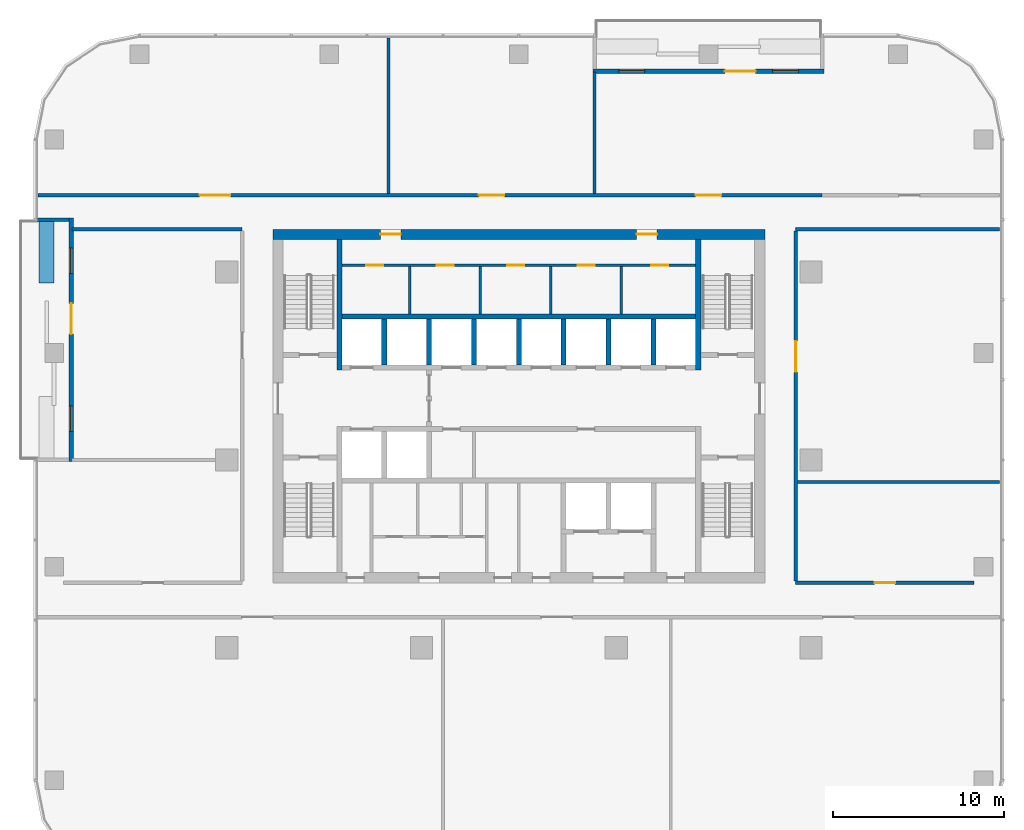
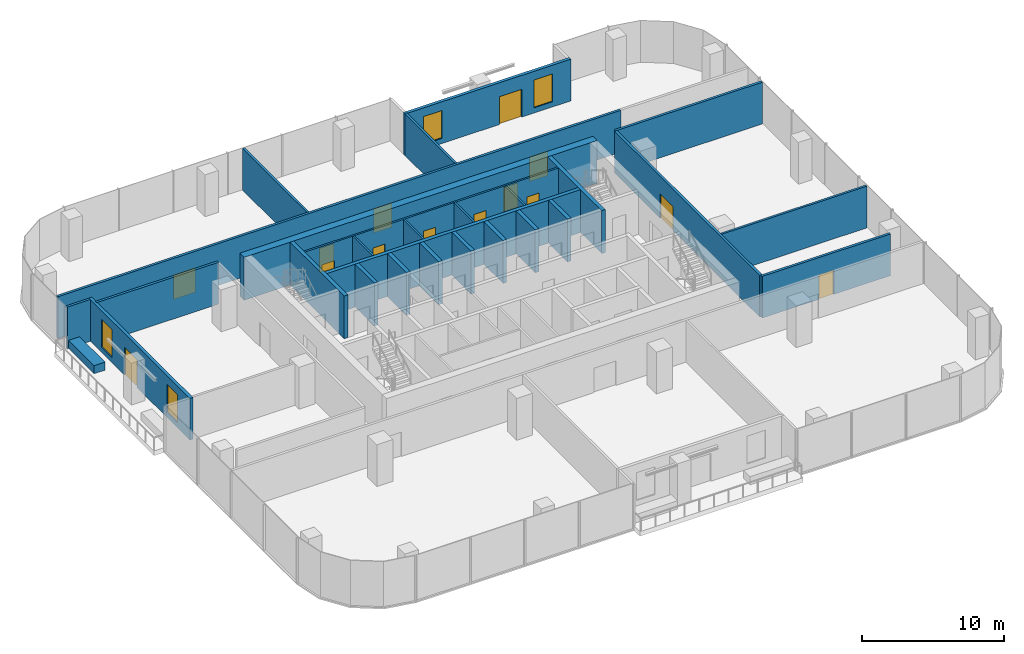
# One storey, part 9 of 14: 28 walls, 14 doors, 4 windows, 18 openings.
"""IFC4 building model written with IfcOpenShell, lengths in metres."""

from ifc_helpers import new_model, si_unit, direction, frame, frame_2d, origin, place, context, subcontext, project, spatial, rectangle, extrude, material, layer, layer_set, type_object, element, fill, save


model = new_model("IFC4")

# Units and contexts
model_context = context("Model", 3, precision=1e-05, world=origin(), true_north=direction((0.0, 1.0)))
body_context = subcontext(model_context, "Body", "Model", "MODEL_VIEW")
ifc_project = project(units=[si_unit("LENGTHUNIT", "METRE"), si_unit("AREAUNIT", "SQUARE_METRE"), si_unit("VOLUMEUNIT", "CUBIC_METRE"), si_unit("PLANEANGLEUNIT", "RADIAN"), si_unit("MASSUNIT", "GRAM", prefix="KILO")], contexts=[model_context])

# Site, building, storey
site_placement = place(None, origin())
site = spatial("IfcSite", under=ifc_project, at=site_placement, CompositionType="ELEMENT")
building_placement = place(site_placement, origin())
building = spatial("IfcBuilding", under=site, at=building_placement, Name="Mopane Tessera Tower", CompositionType="ELEMENT")
storey_placement = place(building_placement, frame((0.0, 0.0, 243.0)))
storey = spatial("IfcBuildingStorey", under=building, at=storey_placement, Name="L52", CompositionType="ELEMENT", Elevation=243.0)

# Walls
ifc_material_1 = material(Name="Fire-rated gypsum board partition")
ifc_layer_1 = layer(ifc_material_1, 0.14990234375)
ifc_layer_set_1 = layer_set([ifc_layer_1], Name="Fire-rated gypsum board partition")
wall_type_1 = type_object("IfcWallType", Name="Core room partition 150 mm", PredefinedType="PARTITIONING", material=ifc_layer_set_1)
for number, where, z_axis, x_axis, name in (
    (1, (-6.375, 8.550048828125, 0.0), (0.0, 0.0, 1.0), (0.0, 1.0, 0.0), "L52 Room partition"),
    (2, (-2.25, 8.550048828125, 0.0), (0.0, 0.0, 1.0), (0.0, 1.0, 0.0), "L52 Room partition"),
    (3, (1.875, 8.550048828125, 0.0), (0.0, 0.0, 1.0), (0.0, 1.0, 0.0), "L52 Room partition"),
    (4, (6.0, 8.550048828125, 0.0), (0.0, 0.0, 1.0), (0.0, 1.0, 0.0), "L52 Room partition"),
):
    element("IfcWall", number, at=place(storey_placement, frame(where, z_axis=z_axis, x_axis=x_axis)), inside=storey, type_object=wall_type_1, Name=name, PredefinedType="PARTITIONING", context=body_context, shape_type="SweptSolid", body=[
        extrude(rectangle(XDim=2.77490234375, YDim=0.14990234375, at=frame_2d((1.387451171875, 0.0))), origin(), (0.0, 0.0, 1.0), 3.699951171875),
    ])

# Wall, openings, doors
wall_1_placement = place(storey_placement, frame((-10.35009765625, 11.39990234375, 0.0), z_axis=(0.0, 0.0, 1.0), x_axis=(1.0, 0.0, 0.0)))
wall_1 = element("IfcWall", 5, at=wall_1_placement, inside=storey, type_object=wall_type_1, Name="L52 Corridor wall", PredefinedType="PARTITIONING", context=body_context, shape_type="SweptSolid", body=[
    extrude(rectangle(XDim=20.7001953125, YDim=0.14990234375, at=frame_2d((10.35009765625, 0.0))), origin(), (0.0, 0.0, 1.0), 3.699951171875),
])
opening_1_placement = place(wall_1_placement, frame((1.41259765625, 0.0, 0.0)))
opening_1 = element("IfcOpeningElement", 6, at=opening_1_placement, cuts=wall_1, Name="Opening RD1", PredefinedType="OPENING", context=body_context, shape_type="SweptSolid", body=[
    extrude(rectangle(XDim=1.0, YDim=2.10009765625, at=frame_2d((0.5, 1.050048828125))), frame((0.0, 0.0869140625, 0.0), z_axis=(0.0, -1.0, 0.0), x_axis=(1.0, 0.0, 0.0)), (0.0, 0.0, 1.0), 0.173828125),
])
opening_2_placement = place(wall_1_placement, frame((5.53759765625, 0.0, 0.0)))
opening_2 = element("IfcOpeningElement", 7, at=opening_2_placement, cuts=wall_1, Name="Opening RD1", PredefinedType="OPENING", context=body_context, shape_type="SweptSolid", body=[
    extrude(rectangle(XDim=1.0, YDim=2.10009765625, at=frame_2d((0.5, 1.050048828125))), frame((0.0, 0.0869140625, 0.0), z_axis=(0.0, -1.0, 0.0), x_axis=(1.0, 0.0, 0.0)), (0.0, 0.0, 1.0), 0.173828125),
])
opening_3_placement = place(wall_1_placement, frame((9.66259765625, 0.0, 0.0)))
opening_3 = element("IfcOpeningElement", 8, at=opening_3_placement, cuts=wall_1, Name="Opening RD1", PredefinedType="OPENING", context=body_context, shape_type="SweptSolid", body=[
    extrude(rectangle(XDim=1.0, YDim=2.10009765625, at=frame_2d((0.5, 1.050048828125))), frame((0.0, 0.0869140625, 0.0), z_axis=(0.0, -1.0, 0.0), x_axis=(1.0, 0.0, 0.0)), (0.0, 0.0, 1.0), 0.173828125),
])
opening_4_placement = place(wall_1_placement, frame((13.78759765625, 0.0, 0.0)))
opening_4 = element("IfcOpeningElement", 9, at=opening_4_placement, cuts=wall_1, Name="Opening RD1", PredefinedType="OPENING", context=body_context, shape_type="SweptSolid", body=[
    extrude(rectangle(XDim=1.0, YDim=2.10009765625, at=frame_2d((0.5, 1.050048828125))), frame((0.0, 0.0869140625, 0.0), z_axis=(0.0, -1.0, 0.0), x_axis=(1.0, 0.0, 0.0)), (0.0, 0.0, 1.0), 0.173828125),
])
opening_5_placement = place(wall_1_placement, frame((18.10009765625, 0.0, 0.0)))
opening_5 = element("IfcOpeningElement", 10, at=opening_5_placement, cuts=wall_1, Name="Opening RD1", PredefinedType="OPENING", context=body_context, shape_type="SweptSolid", body=[
    extrude(rectangle(XDim=1.0, YDim=2.10009765625, at=frame_2d((0.5, 1.050048828125))), frame((0.0, 0.0869140625, 0.0), z_axis=(0.0, -1.0, 0.0), x_axis=(1.0, 0.0, 0.0)), (0.0, 0.0, 1.0), 0.173828125),
])
ifc_material_2 = material(Name="Timber door", Category="wood")
door_type_1 = type_object("IfcDoorType", Name="Core room door 1000 x 2100", OperationType="SINGLE_SWING_LEFT", PredefinedType="DOOR", material=ifc_material_2)
door_1_placement = place(opening_1_placement, origin())
door_1 = element("IfcDoor", 11, at=door_1_placement, inside=storey, type_object=door_type_1, Name="L52 Room door", OperationType="SINGLE_SWING_LEFT", OverallHeight=2.10009765625, OverallWidth=1.0, PredefinedType="DOOR", context=body_context, shape_type="SweptSolid", body=[
    extrude(rectangle(XDim=1.0, YDim=2.10009765625, at=frame_2d((0.5, 1.050048828125))), frame((0.0, 0.02490234375, 0.0), z_axis=(0.0, -1.0, 0.0), x_axis=(1.0, 0.0, 0.0)), (0.0, 0.0, 1.0), 0.050048828125),
])
fill(opening_1, door_1)
door_2_placement = place(opening_2_placement, origin())
door_2 = element("IfcDoor", 12, at=door_2_placement, inside=storey, type_object=door_type_1, Name="L52 Room door", OperationType="SINGLE_SWING_LEFT", OverallHeight=2.10009765625, OverallWidth=1.0, PredefinedType="DOOR", context=body_context, shape_type="SweptSolid", body=[
    extrude(rectangle(XDim=1.0, YDim=2.10009765625, at=frame_2d((0.5, 1.050048828125))), frame((0.0, 0.02490234375, 0.0), z_axis=(0.0, -1.0, 0.0), x_axis=(1.0, 0.0, 0.0)), (0.0, 0.0, 1.0), 0.050048828125),
])
fill(opening_2, door_2)
door_3_placement = place(opening_3_placement, origin())
door_3 = element("IfcDoor", 13, at=door_3_placement, inside=storey, type_object=door_type_1, Name="L52 Room door", OperationType="SINGLE_SWING_LEFT", OverallHeight=2.10009765625, OverallWidth=1.0, PredefinedType="DOOR", context=body_context, shape_type="SweptSolid", body=[
    extrude(rectangle(XDim=1.0, YDim=2.10009765625, at=frame_2d((0.5, 1.050048828125))), frame((0.0, 0.02490234375, 0.0), z_axis=(0.0, -1.0, 0.0), x_axis=(1.0, 0.0, 0.0)), (0.0, 0.0, 1.0), 0.050048828125),
])
fill(opening_3, door_3)
door_4_placement = place(opening_4_placement, origin())
door_4 = element("IfcDoor", 14, at=door_4_placement, inside=storey, type_object=door_type_1, Name="L52 Room door", OperationType="SINGLE_SWING_LEFT", OverallHeight=2.10009765625, OverallWidth=1.0, PredefinedType="DOOR", context=body_context, shape_type="SweptSolid", body=[
    extrude(rectangle(XDim=1.0, YDim=2.10009765625, at=frame_2d((0.5, 1.050048828125))), frame((0.0, 0.02490234375, 0.0), z_axis=(0.0, -1.0, 0.0), x_axis=(1.0, 0.0, 0.0)), (0.0, 0.0, 1.0), 0.050048828125),
])
fill(opening_4, door_4)
door_5_placement = place(opening_5_placement, origin())
door_5 = element("IfcDoor", 15, at=door_5_placement, inside=storey, type_object=door_type_1, Name="L52 Room door", OperationType="SINGLE_SWING_LEFT", OverallHeight=2.10009765625, OverallWidth=1.0, PredefinedType="DOOR", context=body_context, shape_type="SweptSolid", body=[
    extrude(rectangle(XDim=1.0, YDim=2.10009765625, at=frame_2d((0.5, 1.050048828125))), frame((0.0, 0.02490234375, 0.0), z_axis=(0.0, -1.0, 0.0), x_axis=(1.0, 0.0, 0.0)), (0.0, 0.0, 1.0), 0.050048828125),
])
fill(opening_5, door_5)

ifc_material_3 = material(Name="Concrete C70/85", Category="concrete")
ifc_layer_2 = layer(ifc_material_3, 0.60009765625)
ifc_layer_set_2 = layer_set([ifc_layer_2], Name="Concrete C70/85")
wall_type_2 = type_object("IfcWallType", Name="Core shear wall 600 mm", PredefinedType="SHEAR", material=ifc_layer_set_2)
wall_2_placement = place(storey_placement, frame((-14.39990234375, 13.199951171875, 0.0), z_axis=(0.0, 0.0, 1.0), x_axis=(1.0, 0.0, 0.0)))
wall_2 = element("IfcWall", 16, at=wall_2_placement, inside=storey, type_object=wall_type_2, Name="L52 Core wall north", PredefinedType="SHEAR", context=body_context, shape_type="SweptSolid", body=[
    extrude(rectangle(XDim=28.7998046875, YDim=0.60009765625, at=frame_2d((14.39990234375, 0.0))), origin(), (0.0, 0.0, 1.0), 3.699951171875),
])
opening_6_placement = place(wall_2_placement, frame((6.300048828125, 0.0, 0.0)))
opening_6 = element("IfcOpeningElement", 17, at=opening_6_placement, cuts=wall_2, Name="Opening RD2", PredefinedType="OPENING", context=body_context, shape_type="SweptSolid", body=[
    extrude(rectangle(XDim=1.199951171875, YDim=2.10009765625, at=frame_2d((0.60009765625, 1.050048828125))), frame((0.0, 0.31201171875, 0.0), z_axis=(0.0, -1.0, 0.0), x_axis=(1.0, 0.0, 0.0)), (0.0, 0.0, 1.0), 0.6240234375),
])
opening_7_placement = place(wall_2_placement, frame((21.300048828125, 0.0, 0.0)))
opening_7 = element("IfcOpeningElement", 18, at=opening_7_placement, cuts=wall_2, Name="Opening RD2", PredefinedType="OPENING", context=body_context, shape_type="SweptSolid", body=[
    extrude(rectangle(XDim=1.199951171875, YDim=2.10009765625, at=frame_2d((0.60009765625, 1.050048828125))), frame((0.0, 0.31201171875, 0.0), z_axis=(0.0, -1.0, 0.0), x_axis=(1.0, 0.0, 0.0)), (0.0, 0.0, 1.0), 0.6240234375),
])
ifc_material_4 = material(Name="Timber door", Category="wood")
door_type_2 = type_object("IfcDoorType", Name="Core corridor door 1200 x 2100", OperationType="SINGLE_SWING_LEFT", PredefinedType="DOOR", material=ifc_material_4)
door_6_placement = place(opening_6_placement, origin())
door_6 = element("IfcDoor", 19, at=door_6_placement, inside=storey, type_object=door_type_2, Name="L52 Corridor door", OperationType="SINGLE_SWING_LEFT", OverallHeight=2.10009765625, OverallWidth=1.199951171875, PredefinedType="DOOR", context=body_context, shape_type="SweptSolid", body=[
    extrude(rectangle(XDim=1.199951171875, YDim=2.10009765625, at=frame_2d((0.60009765625, 1.050048828125))), frame((0.0, 0.02490234375, 0.0), z_axis=(0.0, -1.0, 0.0), x_axis=(1.0, 0.0, 0.0)), (0.0, 0.0, 1.0), 0.050048828125),
])
fill(opening_6, door_6)
door_7_placement = place(opening_7_placement, origin())
door_7 = element("IfcDoor", 20, at=door_7_placement, inside=storey, type_object=door_type_2, Name="L52 Corridor door", OperationType="SINGLE_SWING_RIGHT", OverallHeight=2.10009765625, OverallWidth=1.199951171875, PredefinedType="DOOR", context=body_context, shape_type="SweptSolid", body=[
    extrude(rectangle(XDim=1.199951171875, YDim=2.10009765625, at=frame_2d((0.60009765625, 1.050048828125))), frame((0.0, 0.02490234375, 0.0), z_axis=(0.0, -1.0, 0.0), x_axis=(1.0, 0.0, 0.0)), (0.0, 0.0, 1.0), 0.050048828125),
])
fill(opening_7, door_7)

# Walls
ifc_material_5 = material(Name="Concrete C60/75", Category="concrete")
ifc_layer_3 = layer(ifc_material_5, 0.300048828125)
ifc_layer_set_3 = layer_set([ifc_layer_3], Name="Concrete C60/75")
wall_type_3 = type_object("IfcWallType", Name="Core spine wall 300 mm", PredefinedType="SHEAR", material=ifc_layer_set_3)
for number, where, z_axis, x_axis, name in (
    (21, (-10.5, 5.25, 0.0), (0.0, 0.0, 1.0), (0.0, 1.0, 0.0), "L52 Core spine wall"),
    (22, (10.5, 5.25, 0.0), (0.0, 0.0, 1.0), (0.0, 1.0, 0.0), "L52 Core spine wall"),
):
    element("IfcWall", number, at=place(storey_placement, frame(where, z_axis=z_axis, x_axis=x_axis)), inside=storey, type_object=wall_type_3, Name=name, PredefinedType="SHEAR", context=body_context, shape_type="SweptSolid", body=[
        extrude(rectangle(XDim=7.64990234375, YDim=0.300048828125, at=frame_2d((3.824951171875, 0.0))), origin(), (0.0, 0.0, 1.0), 3.699951171875),
    ])
ifc_material_6 = material(Name="Gypsum board on staggered steel studs, double layer each face, acoustic mineral wool infill", Category="steel")
ifc_layer_4 = layer(ifc_material_6, 0.175048828125)
ifc_layer_set_4 = layer_set([ifc_layer_4], Name="Gypsum board on staggered steel studs, double layer each face, acoustic mineral wool infill")
wall_type_4 = type_object("IfcWallType", Name="Gypsum board acoustic partition 175, rated EI 60", PredefinedType="PARTITIONING", material=ifc_layer_set_4)
wall_3_placement = place(storey_placement, frame((16.300048828125, -1.284912109375, 0.0), z_axis=(0.0, 0.0, 1.0), x_axis=(1.0, 0.0, 0.0)))
element("IfcWall", 23, at=wall_3_placement, inside=storey, type_object=wall_type_4, Name="Partition L52:003", PredefinedType="PARTITIONING", context=body_context, shape_type="SweptSolid", body=[
    extrude(rectangle(XDim=11.849853515625, YDim=0.175048828125, at=frame_2d((5.9248046875, 0.0))), origin(), (0.0, 0.0, 1.0), 3.60009765625),
])
wall_4_placement = place(storey_placement, frame((-7.625, 15.60009765625, 0.0), z_axis=(0.0, 0.0, 1.0), x_axis=(0.0, 1.0, 0.0)))
element("IfcWall", 24, at=wall_4_placement, inside=storey, type_object=wall_type_4, Name="Partition L52:010", PredefinedType="PARTITIONING", context=body_context, shape_type="SweptSolid", body=[
    extrude(rectangle(XDim=9.099853515625, YDim=0.175048828125, at=frame_2d((4.5498046875, 0.0))), origin(), (0.0, 0.0, 1.0), 3.60009765625),
])
wall_5_placement = place(storey_placement, frame((4.43994140625, 15.60009765625, 0.0), z_axis=(0.0, 0.0, 1.0), x_axis=(0.0, 1.0, 0.0)))
element("IfcWall", 25, at=wall_5_placement, inside=storey, type_object=wall_type_4, Name="Partition L52:012", PredefinedType="PARTITIONING", context=body_context, shape_type="SweptSolid", body=[
    extrude(rectangle(XDim=7.099853515625, YDim=0.175048828125, at=frame_2d((3.5498046875, 0.0))), origin(), (0.0, 0.0, 1.0), 3.60009765625),
])

# Wall, opening, door
ifc_material_7 = material(Name="Gypsum board on steel studs, two layers each face, mineral wool infill", Category="steel")
ifc_layer_5 = layer(ifc_material_7, 0.199951171875)
ifc_layer_set_5 = layer_set([ifc_layer_5], Name="Gypsum board on steel studs, two layers each face, mineral wool infill")
wall_type_5 = type_object("IfcWallType", Name="Gypsum board corridor wall 200, rated EI 60", PredefinedType="PARTITIONING", material=ifc_layer_set_5)
wall_6_placement = place(storey_placement, frame((16.199951171875, -7.199951171875, 0.0), z_axis=(0.0, 0.0, 1.0), x_axis=(1.0, 0.0, 0.0)))
wall_6 = element("IfcWall", 26, at=wall_6_placement, inside=storey, type_object=wall_type_5, Name="Partition L52:002", PredefinedType="PARTITIONING", context=body_context, shape_type="SweptSolid", body=[
    extrude(rectangle(XDim=10.449951171875, YDim=0.199951171875, at=frame_2d((5.22509765625, 0.0))), origin(), (0.0, 0.0, 1.0), 3.60009765625),
])
opening_8_placement = place(wall_6_placement, frame((4.625, 0.0, 0.0)))
opening_8 = element("IfcOpeningElement", 27, at=opening_8_placement, cuts=wall_6, Name="Opening L52-07", PredefinedType="OPENING", context=body_context, shape_type="SweptSolid", body=[
    extrude(rectangle(XDim=1.199951171875, YDim=2.10009765625, at=frame_2d((0.60009765625, 1.050048828125))), frame((0.0, 0.112060546875, 0.0), z_axis=(0.0, -1.0, 0.0), x_axis=(1.0, 0.0, 0.0)), (0.0, 0.0, 1.0), 0.223876953125),
])
ifc_material_8 = material(Name="Timber veneered steel-framed fire door", Category="steel")
door_type_3 = type_object("IfcDoorType", Name="Fire door FD60 1200 x 2100", OperationType="SINGLE_SWING_LEFT", PredefinedType="DOOR", material=ifc_material_8)
door_8_placement = place(opening_8_placement, origin())
door_8 = element("IfcDoor", 28, at=door_8_placement, inside=storey, type_object=door_type_3, Name="Door L52-07", ObjectType="D15A", OperationType="SINGLE_SWING_RIGHT", OverallHeight=2.10009765625, OverallWidth=1.199951171875, PredefinedType="DOOR", context=body_context, shape_type="SweptSolid", body=[
    extrude(rectangle(XDim=1.199951171875, YDim=2.10009765625, at=frame_2d((0.60009765625, 1.050048828125))), frame((0.0, 0.02490234375, 0.0), z_axis=(0.0, -1.0, 0.0), x_axis=(1.0, 0.0, 0.0)), (0.0, 0.0, 1.0), 0.050048828125),
])
fill(opening_8, door_8)

# Walls
wall_7_placement = place(storey_placement, frame((-26.14990234375, 13.5, 0.0), z_axis=(0.0, 0.0, 1.0), x_axis=(1.0, 0.0, 0.0)))
element("IfcWall", 29, at=wall_7_placement, inside=storey, type_object=wall_type_5, Name="Partition L52:005", PredefinedType="PARTITIONING", context=body_context, shape_type="SweptSolid", body=[
    extrude(rectangle(XDim=9.949951171875, YDim=0.199951171875, at=frame_2d((4.97509765625, 0.0))), origin(), (0.0, 0.0, 1.0), 3.60009765625),
])
wall_8_placement = place(storey_placement, frame((16.199951171875, 13.5, 0.0), z_axis=(0.0, 0.0, 1.0), x_axis=(1.0, 0.0, 0.0)))
element("IfcWall", 30, at=wall_8_placement, inside=storey, type_object=wall_type_5, Name="Partition L52:006", PredefinedType="PARTITIONING", context=body_context, shape_type="SweptSolid", body=[
    extrude(rectangle(XDim=11.949951171875, YDim=0.199951171875, at=frame_2d((5.97509765625, 0.0))), origin(), (0.0, 0.0, 1.0), 3.60009765625),
])

# Wall, openings, doors
wall_9_placement = place(storey_placement, frame((-28.14990234375, 15.5, 0.0), z_axis=(0.0, 0.0, 1.0), x_axis=(1.0, 0.0, 0.0)))
wall_9 = element("IfcWall", 31, at=wall_9_placement, inside=storey, type_object=wall_type_5, Name="Partition L52:007", PredefinedType="PARTITIONING", context=body_context, shape_type="SweptSolid", body=[
    extrude(rectangle(XDim=45.909912109375, YDim=0.199951171875, at=frame_2d((22.955078125, 0.0))), origin(), (0.0, 0.0, 1.0), 3.60009765625),
])
opening_9_placement = place(wall_9_placement, frame((38.5, 0.0, 0.0)))
opening_9 = element("IfcOpeningElement", 32, at=opening_9_placement, cuts=wall_9, Name="Opening L52-03", PredefinedType="OPENING", context=body_context, shape_type="SweptSolid", body=[
    extrude(rectangle(XDim=1.5, YDim=2.10009765625, at=frame_2d((0.75, 1.050048828125))), frame((0.0, 0.112060546875, 0.0), z_axis=(0.0, -1.0, 0.0), x_axis=(1.0, 0.0, 0.0)), (0.0, 0.0, 1.0), 0.223876953125),
])
opening_10_placement = place(wall_9_placement, frame((9.46240234375, 0.0, 0.0)))
opening_10 = element("IfcOpeningElement", 33, at=opening_10_placement, cuts=wall_9, Name="Opening L52-05", PredefinedType="OPENING", context=body_context, shape_type="SweptSolid", body=[
    extrude(rectangle(XDim=1.800048828125, YDim=2.10009765625, at=frame_2d((0.89990234375, 1.050048828125))), frame((0.0, 0.112060546875, 0.0), z_axis=(0.0, -1.0, 0.0), x_axis=(1.0, 0.0, 0.0)), (0.0, 0.0, 1.0), 0.223876953125),
])
opening_11_placement = place(wall_9_placement, frame((25.8076171875, 0.0, 0.0)))
opening_11 = element("IfcOpeningElement", 34, at=opening_11_placement, cuts=wall_9, Name="Opening L52-10", PredefinedType="OPENING", context=body_context, shape_type="SweptSolid", body=[
    extrude(rectangle(XDim=1.5, YDim=2.10009765625, at=frame_2d((0.75, 1.050048828125))), frame((0.0, 0.112060546875, 0.0), z_axis=(0.0, -1.0, 0.0), x_axis=(1.0, 0.0, 0.0)), (0.0, 0.0, 1.0), 0.223876953125),
])
ifc_material_9 = material(Name="Timber veneered steel-framed fire door", Category="steel")
door_type_4 = type_object("IfcDoorType", Name="Fire door pair FD60 1500 x 2100", OperationType="DOUBLE_DOOR_SINGLE_SWING", PredefinedType="DOOR", material=ifc_material_9)
door_9_placement = place(opening_9_placement, origin())
door_9 = element("IfcDoor", 35, at=door_9_placement, inside=storey, type_object=door_type_4, Name="Door L52-03", ObjectType="D17A", OperationType="DOUBLE_DOOR_SINGLE_SWING", OverallHeight=2.10009765625, OverallWidth=1.5, PredefinedType="DOOR", context=body_context, shape_type="SweptSolid", body=[
    extrude(rectangle(XDim=1.5, YDim=2.10009765625, at=frame_2d((0.75, 1.050048828125))), frame((0.0, 0.02490234375, 0.0), z_axis=(0.0, -1.0, 0.0), x_axis=(1.0, 0.0, 0.0)), (0.0, 0.0, 1.0), 0.050048828125),
])
fill(opening_9, door_9)
door_10_placement = place(opening_11_placement, origin())
door_10 = element("IfcDoor", 36, at=door_10_placement, inside=storey, type_object=door_type_4, Name="Door L52-10", ObjectType="D17A", OperationType="DOUBLE_DOOR_SINGLE_SWING", OverallHeight=2.10009765625, OverallWidth=1.5, PredefinedType="DOOR", context=body_context, shape_type="SweptSolid", body=[
    extrude(rectangle(XDim=1.5, YDim=2.10009765625, at=frame_2d((0.75, 1.050048828125))), frame((0.0, 0.02490234375, 0.0), z_axis=(0.0, -1.0, 0.0), x_axis=(1.0, 0.0, 0.0)), (0.0, 0.0, 1.0), 0.050048828125),
])
fill(opening_11, door_10)
ifc_material_10 = material(Name="Timber veneered steel-framed fire door", Category="steel")
door_type_5 = type_object("IfcDoorType", Name="Fire door pair FD60 1800 x 2100", OperationType="DOUBLE_DOOR_SINGLE_SWING", PredefinedType="DOOR", material=ifc_material_10)
door_11_placement = place(opening_10_placement, origin())
door_11 = element("IfcDoor", 37, at=door_11_placement, inside=storey, type_object=door_type_5, Name="Door L52-05", ObjectType="D20A", OperationType="DOUBLE_DOOR_SINGLE_SWING", OverallHeight=2.10009765625, OverallWidth=1.800048828125, PredefinedType="DOOR", context=body_context, shape_type="SweptSolid", body=[
    extrude(rectangle(XDim=1.800048828125, YDim=2.10009765625, at=frame_2d((0.89990234375, 1.050048828125))), frame((0.0, 0.02490234375, 0.0), z_axis=(0.0, -1.0, 0.0), x_axis=(1.0, 0.0, 0.0)), (0.0, 0.0, 1.0), 0.050048828125),
])
fill(opening_10, door_11)

# Wall, opening, door
wall_10_placement = place(storey_placement, frame((16.199951171875, -7.10009765625, 0.0), z_axis=(0.0, 0.0, 1.0), x_axis=(0.0, 1.0, 0.0)))
wall_10 = element("IfcWall", 38, at=wall_10_placement, inside=storey, type_object=wall_type_5, Name="Partition L52:014", PredefinedType="PARTITIONING", context=body_context, shape_type="SweptSolid", body=[
    extrude(rectangle(XDim=20.5, YDim=0.199951171875, at=frame_2d((10.25, 0.0))), origin(), (0.0, 0.0, 1.0), 3.60009765625),
])
opening_12_placement = place(wall_10_placement, frame((12.257568359375, 0.0, 0.0)))
opening_12 = element("IfcOpeningElement", 39, at=opening_12_placement, cuts=wall_10, Name="Opening L52-11", PredefinedType="OPENING", context=body_context, shape_type="SweptSolid", body=[
    extrude(rectangle(XDim=1.800048828125, YDim=2.10009765625, at=frame_2d((0.89990234375, 1.050048828125))), frame((0.0, 0.112060546875, 0.0), z_axis=(0.0, -1.0, 0.0), x_axis=(1.0, 0.0, 0.0)), (0.0, 0.0, 1.0), 0.223876953125),
])
door_12_placement = place(opening_12_placement, origin())
door_12 = element("IfcDoor", 40, at=door_12_placement, inside=storey, type_object=door_type_5, Name="Door L52-11", ObjectType="D20A", OperationType="DOUBLE_DOOR_SINGLE_SWING", OverallHeight=2.10009765625, OverallWidth=1.800048828125, PredefinedType="DOOR", context=body_context, shape_type="SweptSolid", body=[
    extrude(rectangle(XDim=1.800048828125, YDim=2.10009765625, at=frame_2d((0.89990234375, 1.050048828125))), frame((0.0, 0.02490234375, 0.0), z_axis=(0.0, -1.0, 0.0), x_axis=(1.0, 0.0, 0.0)), (0.0, 0.0, 1.0), 0.050048828125),
])
fill(opening_12, door_12)

# Walls
ifc_material_11 = material(Name="Concrete C50/60", Category="concrete")
ifc_layer_6 = layer(ifc_material_11, 0.300048828125)
ifc_layer_set_6 = layer_set([ifc_layer_6], Name="Concrete C50/60")
wall_type_6 = type_object("IfcWallType", Name="Lift and stair shaft wall 300 mm", PredefinedType="SOLIDWALL", material=ifc_layer_set_6)
wall_11_placement = place(storey_placement, frame((-10.35009765625, 8.39990234375, 0.0), z_axis=(0.0, 0.0, 1.0), x_axis=(1.0, 0.0, 0.0)))
element("IfcWall", 41, at=wall_11_placement, inside=storey, type_object=wall_type_6, Name="L52 Lift shaft rear wall", PredefinedType="SOLIDWALL", context=body_context, shape_type="SweptSolid", body=[
    extrude(rectangle(XDim=20.7001953125, YDim=0.300048828125, at=frame_2d((10.35009765625, 0.0))), origin(), (0.0, 0.0, 1.0), 3.699951171875),
])
for number, where, z_axis, x_axis, name in (
    (42, (-7.875, 5.550048828125, 0.0), (0.0, 0.0, 1.0), (0.0, 1.0, 0.0), "L52 Lift shaft wall"),
    (43, (-5.25, 5.550048828125, 0.0), (0.0, 0.0, 1.0), (0.0, 1.0, 0.0), "L52 Lift shaft wall"),
    (44, (-2.625, 5.550048828125, 0.0), (0.0, 0.0, 1.0), (0.0, 1.0, 0.0), "L52 Lift shaft wall"),
    (45, (0.0, 5.550048828125, 0.0), (0.0, 0.0, 1.0), (0.0, 1.0, 0.0), "L52 Lift shaft wall"),
    (46, (2.625, 5.550048828125, 0.0), (0.0, 0.0, 1.0), (0.0, 1.0, 0.0), "L52 Lift shaft wall"),
    (47, (5.25, 5.550048828125, 0.0), (0.0, 0.0, 1.0), (0.0, 1.0, 0.0), "L52 Lift shaft wall"),
    (48, (7.875, 5.550048828125, 0.0), (0.0, 0.0, 1.0), (0.0, 1.0, 0.0), "L52 Lift shaft wall"),
):
    element("IfcWall", number, at=place(storey_placement, frame(where, z_axis=z_axis, x_axis=x_axis)), inside=storey, type_object=wall_type_6, Name=name, PredefinedType="SOLIDWALL", context=body_context, shape_type="SweptSolid", body=[
        extrude(rectangle(XDim=2.699951171875, YDim=0.300048828125, at=frame_2d((1.35009765625, 0.0))), origin(), (0.0, 0.0, 1.0), 3.699951171875),
    ])
ifc_material_12 = material(Name="Reinforced concrete C32/40 with waterproofing", Category="concrete")
ifc_layer_7 = layer(ifc_material_12, 0.89990234375)
ifc_layer_set_7 = layer_set([ifc_layer_7], Name="Reinforced concrete C32/40 with waterproofing")
wall_type_7 = type_object("IfcWallType", Name="Planter trough 3600 x 900", PredefinedType="STANDARD", material=ifc_layer_set_7)
wall_12_placement = place(storey_placement, frame((-27.64990234375, 13.96240234375, 0.0), z_axis=(0.0, 0.0, 1.0), x_axis=(0.0, -1.0, 0.0)))
element("IfcWall", 49, at=wall_12_placement, inside=storey, type_object=wall_type_7, Name="e:nw:L52:N3:pl0", PredefinedType="STANDARD", context=body_context, shape_type="SweptSolid", body=[
    extrude(rectangle(XDim=3.599853515625, YDim=0.89990234375, at=frame_2d((1.7998046875, 0.0))), origin(), (0.0, 0.0, 1.0), 0.699951171875),
])
ifc_material_13 = material(Name="Blockwork with glazed tile facing", Category="masonry")
ifc_layer_8 = layer(ifc_material_13, 0.199951171875)
ifc_layer_set_8 = layer_set([ifc_layer_8], Name="Blockwork with glazed tile facing")
wall_type_8 = type_object("IfcWallType", Name="Terrace cheek wall 200", PredefinedType="STANDARD", material=ifc_layer_set_8)
wall_13_placement = place(storey_placement, frame((-28.199951171875, 14.0625, 0.0), z_axis=(0.0, 0.0, 1.0), x_axis=(1.0, 0.0, 0.0)))
element("IfcWall", 50, at=wall_13_placement, inside=storey, type_object=wall_type_8, Name="e:nw:L52:N3:cheeka", PredefinedType="STANDARD", context=body_context, shape_type="SweptSolid", body=[
    extrude(rectangle(XDim=1.875, YDim=0.199951171875, at=frame_2d((0.9375, 0.0))), origin(), (0.0, 0.0, 1.0), 3.60009765625),
])

# Wall, openings, windows, door
ifc_material_14 = material(Name="Blockwork with ochre glazed tile facing", Category="masonry")
ifc_layer_9 = layer(ifc_material_14, 0.25)
ifc_layer_set_9 = layer_set([ifc_layer_9], Name="Blockwork with ochre glazed tile facing")
wall_type_9 = type_object("IfcWallType", Name="Tile-clad external wall 250, ochre", PredefinedType="STANDARD", material=ifc_layer_set_9)
wall_14_placement = place(storey_placement, frame((17.860107421875, 22.75, 0.0), z_axis=(0.0, 0.0, 1.0), x_axis=(-1.0, 0.0, 0.0)))
wall_14 = element("IfcWall", 51, at=wall_14_placement, inside=storey, type_object=wall_type_9, Name="e:nw:L52:N2:back", PredefinedType="STANDARD", context=body_context, shape_type="SweptSolid", body=[
    extrude(rectangle(XDim=13.52001953125, YDim=0.25, at=frame_2d((6.760009765625, 0.0))), origin(), (0.0, 0.0, 1.0), 3.60009765625),
])
opening_13_placement = place(wall_14_placement, frame((1.5, 0.0, 0.449951171875)))
opening_13 = element("IfcOpeningElement", 52, at=opening_13_placement, cuts=wall_14, Name="Opening NW522A", PredefinedType="OPENING", context=body_context, shape_type="SweptSolid", body=[
    extrude(rectangle(XDim=1.5, YDim=2.39990234375, at=frame_2d((0.75, 1.199951171875))), frame((0.0, 0.136962890625, 0.0), z_axis=(0.0, -1.0, 0.0), x_axis=(1.0, 0.0, 0.0)), (0.0, 0.0, 1.0), 0.27392578125),
])
opening_14_placement = place(wall_14_placement, frame((4.0, 0.0, 0.0)))
opening_14 = element("IfcOpeningElement", 53, at=opening_14_placement, cuts=wall_14, Name="Opening ND522", PredefinedType="OPENING", context=body_context, shape_type="SweptSolid", body=[
    extrude(rectangle(XDim=1.800048828125, YDim=2.39990234375, at=frame_2d((0.89990234375, 1.199951171875))), frame((0.0, 0.136962890625, 0.0), z_axis=(0.0, -1.0, 0.0), x_axis=(1.0, 0.0, 0.0)), (0.0, 0.0, 1.0), 0.27392578125),
])
opening_15_placement = place(wall_14_placement, frame((10.5, 0.0, 0.449951171875)))
opening_15 = element("IfcOpeningElement", 54, at=opening_15_placement, cuts=wall_14, Name="Opening NW522B", PredefinedType="OPENING", context=body_context, shape_type="SweptSolid", body=[
    extrude(rectangle(XDim=1.5, YDim=2.39990234375, at=frame_2d((0.75, 1.199951171875))), frame((0.0, 0.136962890625, 0.0), z_axis=(0.0, -1.0, 0.0), x_axis=(1.0, 0.0, 0.0)), (0.0, 0.0, 1.0), 0.27392578125),
])
ifc_material_15 = material(Name="Clear laminated glass", Category="glass")
window_type = type_object("IfcWindowType", Name="Fixed window 1500 x 2400", PartitioningType="SINGLE_PANEL", PredefinedType="WINDOW", material=ifc_material_15)
window_1_placement = place(opening_13_placement, origin())
window_1 = element("IfcWindow", 55, at=window_1_placement, inside=storey, type_object=window_type, Name="e:nw:L52:N2:win0", OverallHeight=2.39990234375, OverallWidth=1.5, PartitioningType="SINGLE_PANEL", PredefinedType="WINDOW", context=body_context, shape_type="SweptSolid", body=[
    extrude(rectangle(XDim=1.5, YDim=2.39990234375, at=frame_2d((0.75, 1.199951171875))), frame((0.0, 0.030029296875, 0.0), z_axis=(0.0, -1.0, 0.0), x_axis=(1.0, 0.0, 0.0)), (0.0, 0.0, 1.0), 0.06005859375),
])
fill(opening_13, window_1)
window_2_placement = place(opening_15_placement, origin())
window_2 = element("IfcWindow", 56, at=window_2_placement, inside=storey, type_object=window_type, Name="e:nw:L52:N2:win2", OverallHeight=2.39990234375, OverallWidth=1.5, PartitioningType="SINGLE_PANEL", PredefinedType="WINDOW", context=body_context, shape_type="SweptSolid", body=[
    extrude(rectangle(XDim=1.5, YDim=2.39990234375, at=frame_2d((0.75, 1.199951171875))), frame((0.0, 0.030029296875, 0.0), z_axis=(0.0, -1.0, 0.0), x_axis=(1.0, 0.0, 0.0)), (0.0, 0.0, 1.0), 0.06005859375),
])
fill(opening_15, window_2)
ifc_material_16 = material(Name="Aluminium and clear glass", Category="aluminium")
door_type_6 = type_object("IfcDoorType", Name="Terrace double door 1800 x 2400", OperationType="DOUBLE_DOOR_SINGLE_SWING", PredefinedType="DOOR", material=ifc_material_16)
door_13_placement = place(opening_14_placement, origin())
door_13 = element("IfcDoor", 57, at=door_13_placement, inside=storey, type_object=door_type_6, Name="e:nw:L52:N2:door", ObjectType="D1", OperationType="DOUBLE_DOOR_SINGLE_SWING", OverallHeight=2.39990234375, OverallWidth=1.800048828125, PredefinedType="DOOR", context=body_context, shape_type="SweptSolid", body=[
    extrude(rectangle(XDim=1.800048828125, YDim=2.39990234375, at=frame_2d((0.89990234375, 1.199951171875))), frame((0.0, 0.02490234375, 0.0), z_axis=(0.0, -1.0, 0.0), x_axis=(1.0, 0.0, 0.0)), (0.0, 0.0, 1.0), 0.050048828125),
])
fill(opening_14, door_13)

wall_15_placement = place(storey_placement, frame((-26.199951171875, 14.16259765625, 0.0), z_axis=(0.0, 0.0, 1.0), x_axis=(0.0, -1.0, 0.0)))
wall_15 = element("IfcWall", 58, at=wall_15_placement, inside=storey, type_object=wall_type_9, Name="e:nw:L52:N3:back", PredefinedType="STANDARD", context=body_context, shape_type="SweptSolid", body=[
    extrude(rectangle(XDim=14.2626953125, YDim=0.25, at=frame_2d((7.13134765625, 0.0))), origin(), (0.0, 0.0, 1.0), 3.60009765625),
])
opening_16_placement = place(wall_15_placement, frame((1.75, 0.0, 0.449951171875)))
opening_16 = element("IfcOpeningElement", 59, at=opening_16_placement, cuts=wall_15, Name="Opening NW523A", PredefinedType="OPENING", context=body_context, shape_type="SweptSolid", body=[
    extrude(rectangle(XDim=1.5, YDim=2.39990234375, at=frame_2d((0.75, 1.199951171875))), frame((0.0, 0.136962890625, 0.0), z_axis=(0.0, -1.0, 0.0), x_axis=(1.0, 0.0, 0.0)), (0.0, 0.0, 1.0), 0.27392578125),
])
opening_17_placement = place(wall_15_placement, frame((5.0, 0.0, 0.0)))
opening_17 = element("IfcOpeningElement", 60, at=opening_17_placement, cuts=wall_15, Name="Opening ND523", PredefinedType="OPENING", context=body_context, shape_type="SweptSolid", body=[
    extrude(rectangle(XDim=1.800048828125, YDim=2.39990234375, at=frame_2d((0.89990234375, 1.199951171875))), frame((0.0, 0.136962890625, 0.0), z_axis=(0.0, -1.0, 0.0), x_axis=(1.0, 0.0, 0.0)), (0.0, 0.0, 1.0), 0.27392578125),
])
opening_18_placement = place(wall_15_placement, frame((11.0, 0.0, 0.449951171875)))
opening_18 = element("IfcOpeningElement", 61, at=opening_18_placement, cuts=wall_15, Name="Opening NW523B", PredefinedType="OPENING", context=body_context, shape_type="SweptSolid", body=[
    extrude(rectangle(XDim=1.5, YDim=2.39990234375, at=frame_2d((0.75, 1.199951171875))), frame((0.0, 0.136962890625, 0.0), z_axis=(0.0, -1.0, 0.0), x_axis=(1.0, 0.0, 0.0)), (0.0, 0.0, 1.0), 0.27392578125),
])
window_3_placement = place(opening_16_placement, origin())
window_3 = element("IfcWindow", 62, at=window_3_placement, inside=storey, type_object=window_type, Name="e:nw:L52:N3:win0", OverallHeight=2.39990234375, OverallWidth=1.5, PartitioningType="SINGLE_PANEL", PredefinedType="WINDOW", context=body_context, shape_type="SweptSolid", body=[
    extrude(rectangle(XDim=1.5, YDim=2.39990234375, at=frame_2d((0.75, 1.199951171875))), frame((0.0, 0.030029296875, 0.0), z_axis=(0.0, -1.0, 0.0), x_axis=(1.0, 0.0, 0.0)), (0.0, 0.0, 1.0), 0.06005859375),
])
fill(opening_16, window_3)
window_4_placement = place(opening_18_placement, origin())
window_4 = element("IfcWindow", 63, at=window_4_placement, inside=storey, type_object=window_type, Name="e:nw:L52:N3:win2", OverallHeight=2.39990234375, OverallWidth=1.5, PartitioningType="SINGLE_PANEL", PredefinedType="WINDOW", context=body_context, shape_type="SweptSolid", body=[
    extrude(rectangle(XDim=1.5, YDim=2.39990234375, at=frame_2d((0.75, 1.199951171875))), frame((0.0, 0.030029296875, 0.0), z_axis=(0.0, -1.0, 0.0), x_axis=(1.0, 0.0, 0.0)), (0.0, 0.0, 1.0), 0.06005859375),
])
fill(opening_18, window_4)
door_14_placement = place(opening_17_placement, origin())
door_14 = element("IfcDoor", 64, at=door_14_placement, inside=storey, type_object=door_type_6, Name="e:nw:L52:N3:door", ObjectType="D1", OperationType="DOUBLE_DOOR_SINGLE_SWING", OverallHeight=2.39990234375, OverallWidth=1.800048828125, PredefinedType="DOOR", context=body_context, shape_type="SweptSolid", body=[
    extrude(rectangle(XDim=1.800048828125, YDim=2.39990234375, at=frame_2d((0.89990234375, 1.199951171875))), frame((0.0, 0.02490234375, 0.0), z_axis=(0.0, -1.0, 0.0), x_axis=(1.0, 0.0, 0.0)), (0.0, 0.0, 1.0), 0.050048828125),
])
fill(opening_17, door_14)

save(model, "model.ifc")
